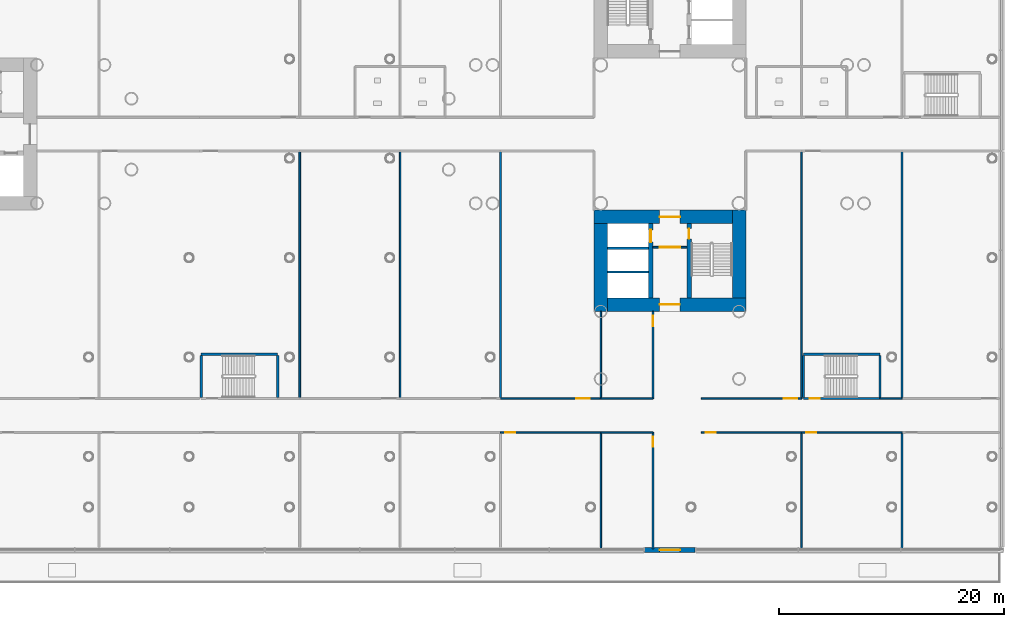
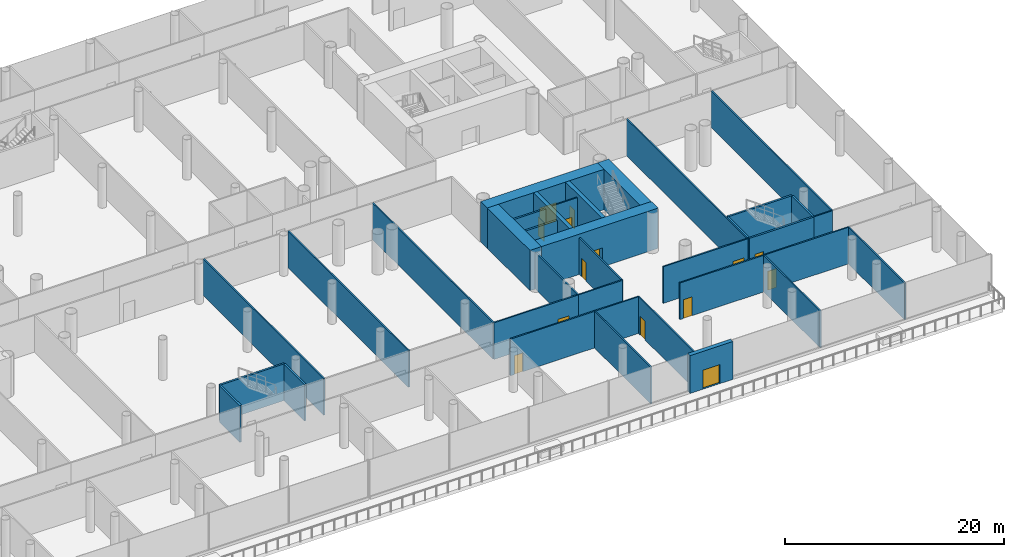
# One storey, part 20 of 49: 36 walls, 14 doors, 14 openings.
"""IFC4 building model written with IfcOpenShell, lengths in metres."""

from ifc_helpers import new_model, si_unit, direction, frame, frame_2d, origin, place, context, subcontext, project, spatial, rectangle, extrude, material, layer, layer_set, type_object, element, fill, save


model = new_model("IFC4")

# Units and contexts
model_context = context("Model", 3, precision=1e-05, world=origin(), true_north=direction((0.0, 1.0)))
body_context = subcontext(model_context, "Body", "Model", "MODEL_VIEW")
ifc_project = project(units=[si_unit("LENGTHUNIT", "METRE"), si_unit("AREAUNIT", "SQUARE_METRE"), si_unit("VOLUMEUNIT", "CUBIC_METRE"), si_unit("PLANEANGLEUNIT", "RADIAN"), si_unit("MASSUNIT", "GRAM", prefix="KILO")], contexts=[model_context])

# Site, building, storey
site_placement = place(None, origin())
site = spatial("IfcSite", under=ifc_project, at=site_placement, CompositionType="ELEMENT")
building_placement = place(site_placement, origin())
building = spatial("IfcBuilding", under=site, at=building_placement, Name="Ipe Terrace Towers", CompositionType="ELEMENT")
storey_placement = place(building_placement, frame((0.0, 0.0, 11.0)))
storey = spatial("IfcBuildingStorey", under=building, at=storey_placement, Name="L02", CompositionType="ELEMENT", Elevation=11.0)

# Wall, opening, door
ifc_material_1 = material(Name="Gypsum board partition", Category="plasterboard")
ifc_layer_1 = layer(ifc_material_1, 0.14990234375)
ifc_layer_set_1 = layer_set([ifc_layer_1], Name="Gypsum board partition 150 mm")
wall_type_1 = type_object("IfcWallType", Name="Gypsum board partition 150 mm", PredefinedType="PARTITIONING", material=ifc_layer_set_1)
wall_1_placement = place(storey_placement, frame((34.5, -10.050048828125, 0.0), z_axis=(0.0, 0.0, 1.0), x_axis=(1.0, 0.0, 0.0)))
wall_1 = element("IfcWall", 1, at=wall_1_placement, inside=storey, type_object=wall_type_1, Name="Gypsum board partition T2 L02 t2c2-lobby-wall", PredefinedType="PARTITIONING", context=body_context, shape_type="SweptSolid", body=[
    extrude(rectangle(XDim=3.0, YDim=0.14990234375, at=frame_2d((1.5, 0.0))), origin(), (0.0, 0.0, 1.0), 4.080078125),
])
opening_1_placement = place(wall_1_placement, frame((0.60009765625, 0.0, 0.0)))
opening_1 = element("IfcOpeningElement", 2, at=opening_1_placement, cuts=wall_1, Name="Opening T2C2-VD", PredefinedType="OPENING", context=body_context, shape_type="SweptSolid", body=[
    extrude(rectangle(XDim=1.800048828125, YDim=2.10009765625, at=frame_2d((0.89990234375, 1.050048828125))), frame((0.0, 0.0849609375, 0.0), z_axis=(0.0, -1.0, 0.0), x_axis=(1.0, 0.0, 0.0)), (0.0, 0.0, 1.0), 0.169921875),
])
ifc_material_2 = material(Name="Fire-rated timber door leaf", Category="wood")
door_type_1 = type_object("IfcDoorType", Name="Lobby door 1800 x 2100 FD60", OperationType="NOTDEFINED", PredefinedType="DOOR", material=ifc_material_2)
door_1_placement = place(opening_1_placement, origin())
door_1 = element("IfcDoor", 3, at=door_1_placement, inside=storey, type_object=door_type_1, Name="Lobby door T2C2-VD", OperationType="SINGLE_SWING_LEFT", OverallHeight=2.10009765625, OverallWidth=1.800048828125, PredefinedType="DOOR", context=body_context, shape_type="SweptSolid", body=[
    extrude(rectangle(XDim=1.800048828125, YDim=2.10009765625, at=frame_2d((0.89990234375, 1.050048828125))), frame((0.0, 0.02490234375, 0.0), z_axis=(0.0, -1.0, 0.0), x_axis=(1.0, 0.0, 0.0)), (0.0, 0.0, 1.0), 0.050048828125),
])
fill(opening_1, door_1)

# Walls
for number, where, z_axis, x_axis, name in (
    (4, (3.110107421875, -1.5, 0.0), (0.0, 0.0, 1.0), (0.0, -1.0, 0.0), "Gypsum board partition T2 L02 pd-r30-r34-w6"),
    (5, (12.030029296875, -1.5, 0.0), (0.0, 0.0, 1.0), (0.0, -1.0, 0.0), "Gypsum board partition T2 L02 pd-r34-r37-w17"),
    (6, (20.949951171875, -1.5, 0.0), (0.0, 0.0, 1.0), (0.0, -1.0, 0.0), "Gypsum board partition T2 L02 pd-r37-r40-w24"),
):
    element("IfcWall", number, at=place(storey_placement, frame(where, z_axis=z_axis, x_axis=x_axis)), inside=storey, type_object=wall_type_1, Name=name, PredefinedType="PARTITIONING", context=body_context, shape_type="SweptSolid", body=[
        extrude(rectangle(XDim=22.0, YDim=0.14990234375, at=frame_2d((11.0, 0.0))), origin(), (0.0, 0.0, 1.0), 4.080078125),
    ])

# Wall, opening, door
wall_2_placement = place(storey_placement, frame((29.8701171875, -23.5, 0.0), z_axis=(0.0, 0.0, 1.0), x_axis=(-1.0, 0.0, 0.0)))
wall_2 = element("IfcWall", 7, at=wall_2_placement, inside=storey, type_object=wall_type_1, Name="Gypsum board partition T2 L02 pd-r40-w31", PredefinedType="PARTITIONING", context=body_context, shape_type="SweptSolid", body=[
    extrude(rectangle(XDim=8.920166015625, YDim=0.14990234375, at=frame_2d((4.4599609375, 0.0))), origin(), (0.0, 0.0, 1.0), 4.080078125),
])
opening_2_placement = place(wall_2_placement, frame((1.0, 0.0, 0.0)))
opening_2 = element("IfcOpeningElement", 8, at=opening_2_placement, cuts=wall_2, Name="Opening PD-L02-r40", PredefinedType="OPENING", context=body_context, shape_type="SweptSolid", body=[
    extrude(rectangle(XDim=1.199951171875, YDim=2.10009765625, at=frame_2d((0.60009765625, 1.050048828125))), frame((0.0, 0.0849609375, 0.0), z_axis=(0.0, -1.0, 0.0), x_axis=(1.0, 0.0, 0.0)), (0.0, 0.0, 1.0), 0.169921875),
])
ifc_material_3 = material(Name="Fire-rated timber door leaf", Category="wood")
door_type_2 = type_object("IfcDoorType", Name="Lounge door 1200 x 2100 FD30S", OperationType="NOTDEFINED", PredefinedType="DOOR", material=ifc_material_3)
door_2_placement = place(opening_2_placement, origin())
door_2 = element("IfcDoor", 9, at=door_2_placement, inside=storey, type_object=door_type_2, Name="Lounge door PD-L02-r40", OperationType="SINGLE_SWING_RIGHT", OverallHeight=2.10009765625, OverallWidth=1.199951171875, PredefinedType="DOOR", context=body_context, shape_type="SweptSolid", body=[
    extrude(rectangle(XDim=1.199951171875, YDim=2.10009765625, at=frame_2d((0.60009765625, 1.050048828125))), frame((0.0, 0.02490234375, 0.0), z_axis=(0.0, -1.0, 0.0), x_axis=(1.0, 0.0, 0.0)), (0.0, 0.0, 1.0), 0.050048828125),
])
fill(opening_2, door_2)

# Wall
wall_3_placement = place(storey_placement, frame((29.8701171875, -15.75, 0.0), z_axis=(0.0, 0.0, 1.0), x_axis=(0.0, -1.0, 0.0)))
element("IfcWall", 10, at=wall_3_placement, inside=storey, type_object=wall_type_1, Name="Gypsum board partition T2 L02 pd-r40-r45-w33", PredefinedType="PARTITIONING", context=body_context, shape_type="SweptSolid", body=[
    extrude(rectangle(XDim=7.75, YDim=0.14990234375, at=frame_2d((3.875, 0.0))), origin(), (0.0, 0.0, 1.0), 4.080078125),
])

# Wall, opening, door
wall_4_placement = place(storey_placement, frame((20.949951171875, -26.5, 0.0), z_axis=(0.0, 0.0, 1.0), x_axis=(1.0, 0.0, 0.0)))
wall_4 = element("IfcWall", 11, at=wall_4_placement, inside=storey, type_object=wall_type_1, Name="Gypsum board partition T2 L02 pd-r42-w38", PredefinedType="PARTITIONING", context=body_context, shape_type="SweptSolid", body=[
    extrude(rectangle(XDim=8.920166015625, YDim=0.14990234375, at=frame_2d((4.4599609375, 0.0))), origin(), (0.0, 0.0, 1.0), 4.080078125),
])
opening_3_placement = place(wall_4_placement, frame((0.39990234375, 0.0, 0.0)))
opening_3 = element("IfcOpeningElement", 12, at=opening_3_placement, cuts=wall_4, Name="Opening PD-L02-r42", PredefinedType="OPENING", context=body_context, shape_type="SweptSolid", body=[
    extrude(rectangle(XDim=0.89990234375, YDim=2.10009765625, at=frame_2d((0.449951171875, 1.050048828125))), frame((0.0, 0.0849609375, 0.0), z_axis=(0.0, -1.0, 0.0), x_axis=(1.0, 0.0, 0.0)), (0.0, 0.0, 1.0), 0.169921875),
])
ifc_material_4 = material(Name="Fire-rated timber door leaf", Category="wood")
door_type_3 = type_object("IfcDoorType", Name="Lounge door 900 x 2100 FD30S", OperationType="NOTDEFINED", PredefinedType="DOOR", material=ifc_material_4)
door_3_placement = place(opening_3_placement, origin())
door_3 = element("IfcDoor", 13, at=door_3_placement, inside=storey, type_object=door_type_3, Name="Lounge door PD-L02-r42", OperationType="SINGLE_SWING_RIGHT", OverallHeight=2.10009765625, OverallWidth=0.89990234375, PredefinedType="DOOR", context=body_context, shape_type="SweptSolid", body=[
    extrude(rectangle(XDim=0.89990234375, YDim=2.10009765625, at=frame_2d((0.449951171875, 1.050048828125))), frame((0.0, 0.02490234375, 0.0), z_axis=(0.0, -1.0, 0.0), x_axis=(1.0, 0.0, 0.0)), (0.0, 0.0, 1.0), 0.050048828125),
])
fill(opening_3, door_3)

# Walls
wall_5_placement = place(storey_placement, frame((29.8701171875, -26.5, 0.0), z_axis=(0.0, 0.0, 1.0), x_axis=(0.0, -1.0, 0.0)))
element("IfcWall", 14, at=wall_5_placement, inside=storey, type_object=wall_type_1, Name="Gypsum board partition T2 L02 pd-r42-r44-w39", PredefinedType="PARTITIONING", context=body_context, shape_type="SweptSolid", body=[
    extrude(rectangle(XDim=10.35009765625, YDim=0.14990234375, at=frame_2d((5.175048828125, 0.0))), origin(), (0.0, 0.0, 1.0), 4.080078125),
])
wall_6_placement = place(storey_placement, frame((29.8701171875, -26.5, 0.0), z_axis=(0.0, 0.0, 1.0), x_axis=(1.0, 0.0, 0.0)))
element("IfcWall", 15, at=wall_6_placement, inside=storey, type_object=wall_type_1, Name="Gypsum board partition T2 L02 pd-r44-w41", PredefinedType="PARTITIONING", context=body_context, shape_type="SweptSolid", body=[
    extrude(rectangle(XDim=4.6298828125, YDim=0.14990234375, at=frame_2d((2.31494140625, 0.0))), origin(), (0.0, 0.0, 1.0), 4.080078125),
])

# Wall, opening, door
wall_7_placement = place(storey_placement, frame((34.5, -26.5, 0.0), z_axis=(0.0, 0.0, 1.0), x_axis=(0.0, -1.0, 0.0)))
wall_7 = element("IfcWall", 16, at=wall_7_placement, inside=storey, type_object=wall_type_1, Name="Gypsum board partition T2 L02 pd-r44-w42", PredefinedType="PARTITIONING", context=body_context, shape_type="SweptSolid", body=[
    extrude(rectangle(XDim=10.35009765625, YDim=0.14990234375, at=frame_2d((5.175048828125, 0.0))), origin(), (0.0, 0.0, 1.0), 4.080078125),
])
opening_4_placement = place(wall_7_placement, frame((0.39990234375, 0.0, 0.0)))
opening_4 = element("IfcOpeningElement", 17, at=opening_4_placement, cuts=wall_7, Name="Opening PD-L02-r44", PredefinedType="OPENING", context=body_context, shape_type="SweptSolid", body=[
    extrude(rectangle(XDim=0.89990234375, YDim=2.10009765625, at=frame_2d((0.449951171875, 1.050048828125))), frame((0.0, 0.0849609375, 0.0), z_axis=(0.0, -1.0, 0.0), x_axis=(1.0, 0.0, 0.0)), (0.0, 0.0, 1.0), 0.169921875),
])
door_4_placement = place(opening_4_placement, origin())
door_4 = element("IfcDoor", 18, at=door_4_placement, inside=storey, type_object=door_type_3, Name="Lounge door PD-L02-r44", OperationType="SINGLE_SWING_RIGHT", OverallHeight=2.10009765625, OverallWidth=0.89990234375, PredefinedType="DOOR", context=body_context, shape_type="SweptSolid", body=[
    extrude(rectangle(XDim=0.89990234375, YDim=2.10009765625, at=frame_2d((0.449951171875, 1.050048828125))), frame((0.0, 0.02490234375, 0.0), z_axis=(0.0, -1.0, 0.0), x_axis=(1.0, 0.0, 0.0)), (0.0, 0.0, 1.0), 0.050048828125),
])
fill(opening_4, door_4)

wall_8_placement = place(storey_placement, frame((34.5, -15.75, 0.0), z_axis=(0.0, 0.0, 1.0), x_axis=(0.0, -1.0, 0.0)))
wall_8 = element("IfcWall", 19, at=wall_8_placement, inside=storey, type_object=wall_type_1, Name="Gypsum board partition T2 L02 pd-r45-w43", PredefinedType="PARTITIONING", context=body_context, shape_type="SweptSolid", body=[
    extrude(rectangle(XDim=7.75, YDim=0.14990234375, at=frame_2d((3.875, 0.0))), origin(), (0.0, 0.0, 1.0), 4.080078125),
])
opening_5_placement = place(wall_8_placement, frame((0.39990234375, 0.0, 0.0)))
opening_5 = element("IfcOpeningElement", 20, at=opening_5_placement, cuts=wall_8, Name="Opening PD-L02-r45", PredefinedType="OPENING", context=body_context, shape_type="SweptSolid", body=[
    extrude(rectangle(XDim=0.89990234375, YDim=2.10009765625, at=frame_2d((0.449951171875, 1.050048828125))), frame((0.0, 0.0849609375, 0.0), z_axis=(0.0, -1.0, 0.0), x_axis=(1.0, 0.0, 0.0)), (0.0, 0.0, 1.0), 0.169921875),
])
door_5_placement = place(opening_5_placement, origin())
door_5 = element("IfcDoor", 21, at=door_5_placement, inside=storey, type_object=door_type_3, Name="Lounge door PD-L02-r45", OperationType="SINGLE_SWING_RIGHT", OverallHeight=2.10009765625, OverallWidth=0.89990234375, PredefinedType="DOOR", context=body_context, shape_type="SweptSolid", body=[
    extrude(rectangle(XDim=0.89990234375, YDim=2.10009765625, at=frame_2d((0.449951171875, 1.050048828125))), frame((0.0, 0.02490234375, 0.0), z_axis=(0.0, -1.0, 0.0), x_axis=(1.0, 0.0, 0.0)), (0.0, 0.0, 1.0), 0.050048828125),
])
fill(opening_5, door_5)

# Wall
wall_9_placement = place(storey_placement, frame((34.5, -23.5, 0.0), z_axis=(0.0, 0.0, 1.0), x_axis=(-1.0, 0.0, 0.0)))
element("IfcWall", 22, at=wall_9_placement, inside=storey, type_object=wall_type_1, Name="Gypsum board partition T2 L02 pd-r45-w44", PredefinedType="PARTITIONING", context=body_context, shape_type="SweptSolid", body=[
    extrude(rectangle(XDim=4.6298828125, YDim=0.14990234375, at=frame_2d((2.31494140625, 0.0))), origin(), (0.0, 0.0, 1.0), 4.080078125),
])

# Wall, opening, door
wall_10_placement = place(storey_placement, frame((38.7900390625, -26.5, 0.0), z_axis=(0.0, 0.0, 1.0), x_axis=(1.0, 0.0, 0.0)))
wall_10 = element("IfcWall", 23, at=wall_10_placement, inside=storey, type_object=wall_type_1, Name="Gypsum board partition T2 L02 pd-r47-w47", PredefinedType="PARTITIONING", context=body_context, shape_type="SweptSolid", body=[
    extrude(rectangle(XDim=8.919921875, YDim=0.14990234375, at=frame_2d((4.4599609375, 0.0))), origin(), (0.0, 0.0, 1.0), 4.080078125),
])
opening_6_placement = place(wall_10_placement, frame((0.39990234375, 0.0, 0.0)))
opening_6 = element("IfcOpeningElement", 24, at=opening_6_placement, cuts=wall_10, Name="Opening PD-L02-r47", PredefinedType="OPENING", context=body_context, shape_type="SweptSolid", body=[
    extrude(rectangle(XDim=0.89990234375, YDim=2.10009765625, at=frame_2d((0.449951171875, 1.050048828125))), frame((0.0, 0.0849609375, 0.0), z_axis=(0.0, -1.0, 0.0), x_axis=(1.0, 0.0, 0.0)), (0.0, 0.0, 1.0), 0.169921875),
])
door_6_placement = place(opening_6_placement, origin())
door_6 = element("IfcDoor", 25, at=door_6_placement, inside=storey, type_object=door_type_3, Name="Lounge door PD-L02-r47", OperationType="SINGLE_SWING_RIGHT", OverallHeight=2.10009765625, OverallWidth=0.89990234375, PredefinedType="DOOR", context=body_context, shape_type="SweptSolid", body=[
    extrude(rectangle(XDim=0.89990234375, YDim=2.10009765625, at=frame_2d((0.449951171875, 1.050048828125))), frame((0.0, 0.02490234375, 0.0), z_axis=(0.0, -1.0, 0.0), x_axis=(1.0, 0.0, 0.0)), (0.0, 0.0, 1.0), 0.050048828125),
])
fill(opening_6, door_6)

# Wall
wall_11_placement = place(storey_placement, frame((47.7099609375, -26.5, 0.0), z_axis=(0.0, 0.0, 1.0), x_axis=(0.0, -1.0, 0.0)))
element("IfcWall", 26, at=wall_11_placement, inside=storey, type_object=wall_type_1, Name="Gypsum board partition T2 L02 pd-r47-r51-w48", PredefinedType="PARTITIONING", context=body_context, shape_type="SweptSolid", body=[
    extrude(rectangle(XDim=10.35009765625, YDim=0.14990234375, at=frame_2d((5.175048828125, 0.0))), origin(), (0.0, 0.0, 1.0), 4.080078125),
])

# Wall, opening, door
wall_12_placement = place(storey_placement, frame((47.7099609375, -23.5, 0.0), z_axis=(0.0, 0.0, 1.0), x_axis=(-1.0, 0.0, 0.0)))
wall_12 = element("IfcWall", 27, at=wall_12_placement, inside=storey, type_object=wall_type_1, Name="Gypsum board partition T2 L02 pd-r50-w57", PredefinedType="PARTITIONING", context=body_context, shape_type="SweptSolid", body=[
    extrude(rectangle(XDim=8.919921875, YDim=0.14990234375, at=frame_2d((4.4599609375, 0.0))), origin(), (0.0, 0.0, 1.0), 4.080078125),
])
opening_7_placement = place(wall_12_placement, frame((0.39990234375, 0.0, 0.0)))
opening_7 = element("IfcOpeningElement", 28, at=opening_7_placement, cuts=wall_12, Name="Opening PD-L02-r50", PredefinedType="OPENING", context=body_context, shape_type="SweptSolid", body=[
    extrude(rectangle(XDim=1.199951171875, YDim=2.10009765625, at=frame_2d((0.60009765625, 1.050048828125))), frame((0.0, 0.0849609375, 0.0), z_axis=(0.0, -1.0, 0.0), x_axis=(1.0, 0.0, 0.0)), (0.0, 0.0, 1.0), 0.169921875),
])
door_7_placement = place(opening_7_placement, origin())
door_7 = element("IfcDoor", 29, at=door_7_placement, inside=storey, type_object=door_type_2, Name="Lounge door PD-L02-r50", OperationType="SINGLE_SWING_RIGHT", OverallHeight=2.10009765625, OverallWidth=1.199951171875, PredefinedType="DOOR", context=body_context, shape_type="SweptSolid", body=[
    extrude(rectangle(XDim=1.199951171875, YDim=2.10009765625, at=frame_2d((0.60009765625, 1.050048828125))), frame((0.0, 0.02490234375, 0.0), z_axis=(0.0, -1.0, 0.0), x_axis=(1.0, 0.0, 0.0)), (0.0, 0.0, 1.0), 0.050048828125),
])
fill(opening_7, door_7)

# Wall
wall_13_placement = place(storey_placement, frame((47.7099609375, -1.5, 0.0), z_axis=(0.0, 0.0, 1.0), x_axis=(0.0, -1.0, 0.0)))
element("IfcWall", 30, at=wall_13_placement, inside=storey, type_object=wall_type_1, Name="Gypsum board partition T2 L02 pd-r50-r53-w58", PredefinedType="PARTITIONING", context=body_context, shape_type="SweptSolid", body=[
    extrude(rectangle(XDim=22.0, YDim=0.14990234375, at=frame_2d((11.0, 0.0))), origin(), (0.0, 0.0, 1.0), 4.080078125),
])

# Wall, opening, door
wall_14_placement = place(storey_placement, frame((47.7099609375, -26.5, 0.0), z_axis=(0.0, 0.0, 1.0), x_axis=(1.0, 0.0, 0.0)))
wall_14 = element("IfcWall", 31, at=wall_14_placement, inside=storey, type_object=wall_type_1, Name="Gypsum board partition T2 L02 pd-r51-w59", PredefinedType="PARTITIONING", context=body_context, shape_type="SweptSolid", body=[
    extrude(rectangle(XDim=8.919921875, YDim=0.14990234375, at=frame_2d((4.4599609375, 0.0))), origin(), (0.0, 0.0, 1.0), 4.080078125),
])
opening_8_placement = place(wall_14_placement, frame((0.39990234375, 0.0, 0.0)))
opening_8 = element("IfcOpeningElement", 32, at=opening_8_placement, cuts=wall_14, Name="Opening PD-L02-r51", PredefinedType="OPENING", context=body_context, shape_type="SweptSolid", body=[
    extrude(rectangle(XDim=0.89990234375, YDim=2.10009765625, at=frame_2d((0.449951171875, 1.050048828125))), frame((0.0, 0.0849609375, 0.0), z_axis=(0.0, -1.0, 0.0), x_axis=(1.0, 0.0, 0.0)), (0.0, 0.0, 1.0), 0.169921875),
])
door_8_placement = place(opening_8_placement, origin())
door_8 = element("IfcDoor", 33, at=door_8_placement, inside=storey, type_object=door_type_3, Name="Lounge door PD-L02-r51", OperationType="SINGLE_SWING_RIGHT", OverallHeight=2.10009765625, OverallWidth=0.89990234375, PredefinedType="DOOR", context=body_context, shape_type="SweptSolid", body=[
    extrude(rectangle(XDim=0.89990234375, YDim=2.10009765625, at=frame_2d((0.449951171875, 1.050048828125))), frame((0.0, 0.02490234375, 0.0), z_axis=(0.0, -1.0, 0.0), x_axis=(1.0, 0.0, 0.0)), (0.0, 0.0, 1.0), 0.050048828125),
])
fill(opening_8, door_8)

# Walls
wall_15_placement = place(storey_placement, frame((56.6298828125, -26.5, 0.0), z_axis=(0.0, 0.0, 1.0), x_axis=(0.0, -1.0, 0.0)))
element("IfcWall", 34, at=wall_15_placement, inside=storey, type_object=wall_type_1, Name="Gypsum board partition T2 L02 pd-r51-r55-w60", PredefinedType="PARTITIONING", context=body_context, shape_type="SweptSolid", body=[
    extrude(rectangle(XDim=10.35009765625, YDim=0.14990234375, at=frame_2d((5.175048828125, 0.0))), origin(), (0.0, 0.0, 1.0), 4.080078125),
])
wall_16_placement = place(storey_placement, frame((56.6298828125, -23.5, 0.0), z_axis=(0.0, 0.0, 1.0), x_axis=(-1.0, 0.0, 0.0)))
element("IfcWall", 35, at=wall_16_placement, inside=storey, type_object=wall_type_1, Name="Gypsum board partition T2 L02 pd-r53-w63", PredefinedType="PARTITIONING", context=body_context, shape_type="SweptSolid", body=[
    extrude(rectangle(XDim=1.9599609375, YDim=0.14990234375, at=frame_2d((0.97998046875, 0.0))), origin(), (0.0, 0.0, 1.0), 4.080078125),
])
wall_17_placement = place(storey_placement, frame((56.6298828125, -1.5, 0.0), z_axis=(0.0, 0.0, 1.0), x_axis=(0.0, -1.0, 0.0)))
element("IfcWall", 36, at=wall_17_placement, inside=storey, type_object=wall_type_1, Name="Gypsum board partition T2 L02 pd-r53-r56-w65", PredefinedType="PARTITIONING", context=body_context, shape_type="SweptSolid", body=[
    extrude(rectangle(XDim=22.0, YDim=0.14990234375, at=frame_2d((11.0, 0.0))), origin(), (0.0, 0.0, 1.0), 4.080078125),
])
ifc_material_5 = material(Name="Gypsum board party wall", Category="plasterboard")
ifc_layer_2 = layer(ifc_material_5, 0.199951171875)
ifc_layer_set_2 = layer_set([ifc_layer_2], Name="Gypsum board party wall 200 mm")
wall_type_2 = type_object("IfcWallType", Name="Gypsum board party wall 200 mm", PredefinedType="SOLIDWALL", material=ifc_layer_set_2)
for number, where, z_axis, x_axis, name in (
    (37, (30.449951171875, -10.14990234375, 0.0), (0.0, 0.0, 1.0), (1.0, 0.0, 0.0), "Gypsum board party wall T2 L02 t2c2-shaft-div1"),
    (38, (30.449951171875, -12.25, 0.0), (0.0, 0.0, 1.0), (1.0, 0.0, 0.0), "Gypsum board party wall T2 L02 t2c2-shaft-div2"),
):
    element("IfcWall", number, at=place(storey_placement, frame(where, z_axis=z_axis, x_axis=x_axis)), inside=storey, type_object=wall_type_2, Name=name, PredefinedType="SOLIDWALL", context=body_context, shape_type="SweptSolid", body=[
        extrude(rectangle(XDim=3.650146484375, YDim=0.199951171875, at=frame_2d((1.8251953125, 0.0))), origin(), (0.0, 0.0, 1.0), 4.080078125),
    ])

# Wall, opening, door
ifc_material_6 = material(Name="Concrete C40/50 with buff precast cladding", Category="concrete")
ifc_layer_3 = layer(ifc_material_6, 0.43994140625)
ifc_layer_set_3 = layer_set([ifc_layer_3], Name="PODIUM CLADDING WALL 440")
wall_type_3 = type_object("IfcWallType", Name="PODIUM CLADDING WALL 440", PredefinedType="STANDARD", material=ifc_layer_set_3)
wall_18_placement = place(storey_placement, frame((33.75, -36.969970703125, -0.02001953125), z_axis=(0.0, 0.0, 1.0), x_axis=(1.0, 0.0, 0.0)))
wall_18 = element("IfcWall", 39, at=wall_18_placement, inside=storey, type_object=wall_type_3, Name="POD-W-L02-03e wall", PredefinedType="STANDARD", context=body_context, shape_type="SweptSolid", body=[
    extrude(rectangle(XDim=4.5, YDim=0.43994140625, at=frame_2d((2.25, 0.0))), origin(), (0.0, 0.0, 1.0), 4.219970703125),
])
opening_9_placement = place(wall_18_placement, frame((1.35009765625, 0.0, 0.02001953125)))
opening_9 = element("IfcOpeningElement", 40, at=opening_9_placement, cuts=wall_18, Name="Opening POD-D-L02-01", PredefinedType="OPENING", context=body_context, shape_type="SweptSolid", body=[
    extrude(rectangle(XDim=1.800048828125, YDim=2.10009765625, at=frame_2d((0.89990234375, 1.050048828125))), frame((0.0, 0.22998046875, 0.0), z_axis=(0.0, -1.0, 0.0), x_axis=(1.0, 0.0, 0.0)), (0.0, 0.0, 1.0), 0.4599609375),
])
ifc_material_7 = material(Name="Aluminium alloy 6063-T6 framed glazed door", Category="aluminium")
door_type_4 = type_object("IfcDoorType", Name="PODIUM TERRACE DOOR 1800 x 2100", OperationType="DOUBLE_DOOR_SINGLE_SWING", PredefinedType="DOOR", material=ifc_material_7)
door_9_placement = place(opening_9_placement, origin())
door_9 = element("IfcDoor", 41, at=door_9_placement, inside=storey, type_object=door_type_4, Name="DT2 terrace door", OperationType="DOUBLE_DOOR_SINGLE_SWING", OverallHeight=2.10009765625, OverallWidth=1.800048828125, PredefinedType="DOOR", context=body_context, shape_type="SweptSolid", body=[
    extrude(rectangle(XDim=1.800048828125, YDim=2.10009765625, at=frame_2d((0.89990234375, 1.050048828125))), frame((0.0, 0.02490234375, 0.0), z_axis=(0.0, -1.0, 0.0), x_axis=(1.0, 0.0, 0.0)), (0.0, 0.0, 1.0), 0.050048828125),
])
fill(opening_9, door_9)

ifc_material_8 = material(Name="Concrete C60/75", Category="concrete")
ifc_layer_4 = layer(ifc_material_8, 1.199951171875)
ifc_layer_set_4 = layer_set([ifc_layer_4], Name="RW1200 CORE WALL 1200 C60-75")
wall_type_4 = type_object("IfcWallType", Name="RW1200 CORE WALL 1200 C60-75", PredefinedType="SHEAR", material=ifc_layer_set_4)
wall_19_placement = place(storey_placement, frame((30.449951171875, -15.14990234375, 0.0), z_axis=(0.0, 0.0, 1.0), x_axis=(1.0, 0.0, 0.0)))
wall_19 = element("IfcWall", 42, at=wall_19_placement, inside=storey, type_object=wall_type_4, Name="Core wall T2-C2-P-W01", PredefinedType="SHEAR", context=body_context, shape_type="SweptSolid", body=[
    extrude(rectangle(XDim=12.300048828125, YDim=1.199951171875, at=frame_2d((6.14990234375, 0.0))), origin(), (0.0, 0.0, 1.0), 4.5),
])
opening_10_placement = place(wall_19_placement, frame((4.64990234375, 0.0, 0.0)))
opening_10 = element("IfcOpeningElement", 43, at=opening_10_placement, cuts=wall_19, Name="Opening T2C2-FD", PredefinedType="OPENING", context=body_context, shape_type="SweptSolid", body=[
    extrude(rectangle(XDim=1.800048828125, YDim=2.10009765625, at=frame_2d((0.89990234375, 1.050048828125))), frame((0.0, 0.60986328125, 0.0), z_axis=(0.0, -1.0, 0.0), x_axis=(1.0, 0.0, 0.0)), (0.0, 0.0, 1.0), 1.219970703125),
])
ifc_material_9 = material(Name="Fire-rated timber door leaf", Category="wood")
door_type_5 = type_object("IfcDoorType", Name="Fire door 1800 x 2100 FD30S", OperationType="NOTDEFINED", PredefinedType="DOOR", material=ifc_material_9)
door_10_placement = place(opening_10_placement, origin())
door_10 = element("IfcDoor", 44, at=door_10_placement, inside=storey, type_object=door_type_5, Name="Fire door T2C2-FD", OperationType="SINGLE_SWING_LEFT", OverallHeight=2.10009765625, OverallWidth=1.800048828125, PredefinedType="DOOR", context=body_context, shape_type="SweptSolid", body=[
    extrude(rectangle(XDim=1.800048828125, YDim=2.10009765625, at=frame_2d((0.89990234375, 1.050048828125))), frame((0.0, 0.02490234375, 0.0), z_axis=(0.0, -1.0, 0.0), x_axis=(1.0, 0.0, 0.0)), (0.0, 0.0, 1.0), 0.050048828125),
])
fill(opening_10, door_10)

# Wall
wall_20_placement = place(storey_placement, frame((42.14990234375, -14.550048828125, 0.0), z_axis=(0.0, 0.0, 1.0), x_axis=(0.0, 1.0, 0.0)))
element("IfcWall", 45, at=wall_20_placement, inside=storey, type_object=wall_type_4, Name="Core wall T2-C2-P-W02", PredefinedType="SHEAR", context=body_context, shape_type="SweptSolid", body=[
    extrude(rectangle(XDim=7.800048828125, YDim=1.199951171875, at=frame_2d((3.89990234375, 0.0))), origin(), (0.0, 0.0, 1.0), 4.5),
])

# Wall, opening, door
wall_21_placement = place(storey_placement, frame((41.550048828125, -7.35009765625, 0.0), z_axis=(0.0, 0.0, 1.0), x_axis=(-1.0, 0.0, 0.0)))
wall_21 = element("IfcWall", 46, at=wall_21_placement, inside=storey, type_object=wall_type_4, Name="Core wall T2-C2-P-W03", PredefinedType="SHEAR", context=body_context, shape_type="SweptSolid", body=[
    extrude(rectangle(XDim=12.300048828125, YDim=1.199951171875, at=frame_2d((6.14990234375, 0.0))), origin(), (0.0, 0.0, 1.0), 4.5),
])
opening_11_placement = place(wall_21_placement, frame((4.64990234375, 0.0, 0.0)))
opening_11 = element("IfcOpeningElement", 47, at=opening_11_placement, cuts=wall_21, Name="Opening T2C2-ND", PredefinedType="OPENING", context=body_context, shape_type="SweptSolid", body=[
    extrude(rectangle(XDim=1.800048828125, YDim=2.10009765625, at=frame_2d((0.89990234375, 1.050048828125))), frame((0.0, 0.60986328125, 0.0), z_axis=(0.0, -1.0, 0.0), x_axis=(1.0, 0.0, 0.0)), (0.0, 0.0, 1.0), 1.219970703125),
])
door_11_placement = place(opening_11_placement, origin())
door_11 = element("IfcDoor", 48, at=door_11_placement, inside=storey, type_object=door_type_5, Name="Fire door T2C2-ND", OperationType="SINGLE_SWING_LEFT", OverallHeight=2.10009765625, OverallWidth=1.800048828125, PredefinedType="DOOR", context=body_context, shape_type="SweptSolid", body=[
    extrude(rectangle(XDim=1.800048828125, YDim=2.10009765625, at=frame_2d((0.89990234375, 1.050048828125))), frame((0.0, 0.02490234375, 0.0), z_axis=(0.0, -1.0, 0.0), x_axis=(1.0, 0.0, 0.0)), (0.0, 0.0, 1.0), 0.050048828125),
])
fill(opening_11, door_11)

# Walls
wall_22_placement = place(storey_placement, frame((29.85009765625, -7.949951171875, 0.0), z_axis=(0.0, 0.0, 1.0), x_axis=(0.0, -1.0, 0.0)))
element("IfcWall", 49, at=wall_22_placement, inside=storey, type_object=wall_type_4, Name="Core wall T2-C2-P-W04", PredefinedType="SHEAR", context=body_context, shape_type="SweptSolid", body=[
    extrude(rectangle(XDim=7.800048828125, YDim=1.199951171875, at=frame_2d((3.89990234375, 0.0))), origin(), (0.0, 0.0, 1.0), 4.5),
])
ifc_material_10 = material(Name="Concrete C40/50", Category="concrete")
ifc_layer_5 = layer(ifc_material_10, 0.199951171875)
ifc_layer_set_5 = layer_set([ifc_layer_5], Name="RW200 PODIUM STAIR SHAFT WALL 200 C40-50")
wall_type_5 = type_object("IfcWallType", Name="RW200 PODIUM STAIR SHAFT WALL 200 C40-50", PredefinedType="SHEAR", material=ifc_layer_set_5)
wall_23_placement = place(storey_placement, frame((-5.64990234375, -19.550048828125, 0.0), z_axis=(0.0, 0.0, 1.0), x_axis=(1.0, 0.0, 0.0)))
element("IfcWall", 50, at=wall_23_placement, inside=storey, type_object=wall_type_5, Name="Stair shaft wall T1 L02 ps5-f", PredefinedType="SHEAR", context=body_context, shape_type="SweptSolid", body=[
    extrude(rectangle(XDim=6.7998046875, YDim=0.199951171875, at=frame_2d((3.39990234375, 0.0))), origin(), (0.0, 0.0, 1.0), 4.080078125),
])
for number, where, z_axis, x_axis, name in (
    (51, (-5.64990234375, -23.39990234375, 0.0), (0.0, 0.0, 1.0), (0.0, 1.0, 0.0), "Stair shaft wall T1 L02 ps5-w"),
    (52, (1.14990234375, -23.39990234375, 0.0), (0.0, 0.0, 1.0), (0.0, 1.0, 0.0), "Stair shaft wall T1 L02 ps5-e"),
):
    element("IfcWall", number, at=place(storey_placement, frame(where, z_axis=z_axis, x_axis=x_axis)), inside=storey, type_object=wall_type_5, Name=name, PredefinedType="SHEAR", context=body_context, shape_type="SweptSolid", body=[
        extrude(rectangle(XDim=3.75, YDim=0.199951171875, at=frame_2d((1.875, 0.0))), origin(), (0.0, 0.0, 1.0), 4.080078125),
    ])

# Wall, opening, door
wall_24_placement = place(storey_placement, frame((47.8701171875, -23.5, 0.0), z_axis=(0.0, 0.0, 1.0), x_axis=(1.0, 0.0, 0.0)))
wall_24 = element("IfcWall", 53, at=wall_24_placement, inside=storey, type_object=wall_type_5, Name="Stair shaft wall T2 L02 ps6-c", PredefinedType="SHEAR", context=body_context, shape_type="SweptSolid", body=[
    extrude(rectangle(XDim=6.7998046875, YDim=0.199951171875, at=frame_2d((3.39990234375, 0.0))), origin(), (0.0, 0.0, 1.0), 4.080078125),
])
opening_12_placement = place(wall_24_placement, frame((0.550048828125, 0.0, 0.0)))
opening_12 = element("IfcOpeningElement", 54, at=opening_12_placement, cuts=wall_24, Name="Opening PS6-SD", PredefinedType="OPENING", context=body_context, shape_type="SweptSolid", body=[
    extrude(rectangle(XDim=0.89990234375, YDim=2.10009765625, at=frame_2d((0.449951171875, 1.050048828125))), frame((0.0, 0.10986328125, 0.0), z_axis=(0.0, -1.0, 0.0), x_axis=(1.0, 0.0, 0.0)), (0.0, 0.0, 1.0), 0.219970703125),
])
ifc_material_11 = material(Name="Fire-rated timber door leaf", Category="wood")
door_type_6 = type_object("IfcDoorType", Name="Stair door 900 x 2100 FD60", OperationType="NOTDEFINED", PredefinedType="DOOR", material=ifc_material_11)
door_12_placement = place(opening_12_placement, origin())
door_12 = element("IfcDoor", 55, at=door_12_placement, inside=storey, type_object=door_type_6, Name="Stair door PS6-SD", OperationType="SINGLE_SWING_RIGHT", OverallHeight=2.10009765625, OverallWidth=0.89990234375, PredefinedType="DOOR", context=body_context, shape_type="SweptSolid", body=[
    extrude(rectangle(XDim=0.89990234375, YDim=2.10009765625, at=frame_2d((0.449951171875, 1.050048828125))), frame((0.0, 0.02490234375, 0.0), z_axis=(0.0, -1.0, 0.0), x_axis=(1.0, 0.0, 0.0)), (0.0, 0.0, 1.0), 0.050048828125),
])
fill(opening_12, door_12)

# Walls
wall_25_placement = place(storey_placement, frame((47.8701171875, -19.550048828125, 0.0), z_axis=(0.0, 0.0, 1.0), x_axis=(1.0, 0.0, 0.0)))
element("IfcWall", 56, at=wall_25_placement, inside=storey, type_object=wall_type_5, Name="Stair shaft wall T2 L02 ps6-f", PredefinedType="SHEAR", context=body_context, shape_type="SweptSolid", body=[
    extrude(rectangle(XDim=6.7998046875, YDim=0.199951171875, at=frame_2d((3.39990234375, 0.0))), origin(), (0.0, 0.0, 1.0), 4.080078125),
])
for number, where, z_axis, x_axis, name in (
    (57, (47.8701171875, -23.39990234375, 0.0), (0.0, 0.0, 1.0), (0.0, 1.0, 0.0), "Stair shaft wall T2 L02 ps6-w"),
    (58, (54.669921875, -23.39990234375, 0.0), (0.0, 0.0, 1.0), (0.0, 1.0, 0.0), "Stair shaft wall T2 L02 ps6-e"),
):
    element("IfcWall", number, at=place(storey_placement, frame(where, z_axis=z_axis, x_axis=x_axis)), inside=storey, type_object=wall_type_5, Name=name, PredefinedType="SHEAR", context=body_context, shape_type="SweptSolid", body=[
        extrude(rectangle(XDim=3.75, YDim=0.199951171875, at=frame_2d((1.875, 0.0))), origin(), (0.0, 0.0, 1.0), 4.080078125),
    ])

# Wall, opening, door
ifc_material_12 = material(Name="Concrete C60/75", Category="concrete")
ifc_layer_6 = layer(ifc_material_12, 0.39990234375)
ifc_layer_set_6 = layer_set([ifc_layer_6], Name="RW400 CORE SPINE WALL 400 C60-75")
wall_type_6 = type_object("IfcWallType", Name="RW400 CORE SPINE WALL 400 C60-75", PredefinedType="SHEAR", material=ifc_layer_set_6)
wall_26_placement = place(storey_placement, frame((34.300048828125, -14.550048828125, 0.0), z_axis=(0.0, 0.0, 1.0), x_axis=(0.0, 1.0, 0.0)))
wall_26 = element("IfcWall", 59, at=wall_26_placement, inside=storey, type_object=wall_type_6, Name="Core spine wall T2-C2-P-SW1", PredefinedType="SHEAR", context=body_context, shape_type="SweptSolid", body=[
    extrude(rectangle(XDim=6.60009765625, YDim=0.39990234375, at=frame_2d((3.300048828125, 0.0))), origin(), (0.0, 0.0, 1.0), 4.5),
])
opening_13_placement = place(wall_26_placement, frame((4.949951171875, 0.0, 0.0)))
opening_13 = element("IfcOpeningElement", 60, at=opening_13_placement, cuts=wall_26, Name="Opening T2C2-LD1", PredefinedType="OPENING", context=body_context, shape_type="SweptSolid", body=[
    extrude(rectangle(XDim=1.10009765625, YDim=2.10009765625, at=frame_2d((0.550048828125, 1.050048828125))), frame((0.0, 0.2099609375, 0.0), z_axis=(0.0, -1.0, 0.0), x_axis=(1.0, 0.0, 0.0)), (0.0, 0.0, 1.0), 0.419921875),
])
ifc_material_13 = material(Name="Fire-rated timber door leaf", Category="wood")
door_type_7 = type_object("IfcDoorType", Name="Sliding door 1100 x 2100 FD60", OperationType="SLIDING_TO_LEFT", PredefinedType="DOOR", material=ifc_material_13)
door_13_placement = place(opening_13_placement, origin())
door_13 = element("IfcDoor", 61, at=door_13_placement, inside=storey, type_object=door_type_7, Name="Sliding door T2C2-LD1", OperationType="SLIDING_TO_LEFT", OverallHeight=2.10009765625, OverallWidth=1.10009765625, PredefinedType="DOOR", context=body_context, shape_type="SweptSolid", body=[
    extrude(rectangle(XDim=1.10009765625, YDim=2.10009765625, at=frame_2d((0.550048828125, 1.050048828125))), frame((0.0, 0.02490234375, 0.0), z_axis=(0.0, -1.0, 0.0), x_axis=(1.0, 0.0, 0.0)), (0.0, 0.0, 1.0), 0.050048828125),
])
fill(opening_13, door_13)

wall_27_placement = place(storey_placement, frame((37.699951171875, -14.550048828125, 0.0), z_axis=(0.0, 0.0, 1.0), x_axis=(0.0, 1.0, 0.0)))
wall_27 = element("IfcWall", 62, at=wall_27_placement, inside=storey, type_object=wall_type_6, Name="Core spine wall T2-C2-P-SW2", PredefinedType="SHEAR", context=body_context, shape_type="SweptSolid", body=[
    extrude(rectangle(XDim=6.60009765625, YDim=0.39990234375, at=frame_2d((3.300048828125, 0.0))), origin(), (0.0, 0.0, 1.0), 4.5),
])
opening_14_placement = place(wall_27_placement, frame((5.25, 0.0, 0.0)))
opening_14 = element("IfcOpeningElement", 63, at=opening_14_placement, cuts=wall_27, Name="Opening T2C2-SD", PredefinedType="OPENING", context=body_context, shape_type="SweptSolid", body=[
    extrude(rectangle(XDim=0.89990234375, YDim=2.10009765625, at=frame_2d((0.449951171875, 1.050048828125))), frame((0.0, 0.2099609375, 0.0), z_axis=(0.0, -1.0, 0.0), x_axis=(1.0, 0.0, 0.0)), (0.0, 0.0, 1.0), 0.419921875),
])
door_14_placement = place(opening_14_placement, origin())
door_14 = element("IfcDoor", 64, at=door_14_placement, inside=storey, type_object=door_type_6, Name="Stair door T2C2-SD", OperationType="SINGLE_SWING_RIGHT", OverallHeight=2.10009765625, OverallWidth=0.89990234375, PredefinedType="DOOR", context=body_context, shape_type="SweptSolid", body=[
    extrude(rectangle(XDim=0.89990234375, YDim=2.10009765625, at=frame_2d((0.449951171875, 1.050048828125))), frame((0.0, 0.02490234375, 0.0), z_axis=(0.0, -1.0, 0.0), x_axis=(1.0, 0.0, 0.0)), (0.0, 0.0, 1.0), 0.050048828125),
])
fill(opening_14, door_14)

save(model, "model.ifc")
